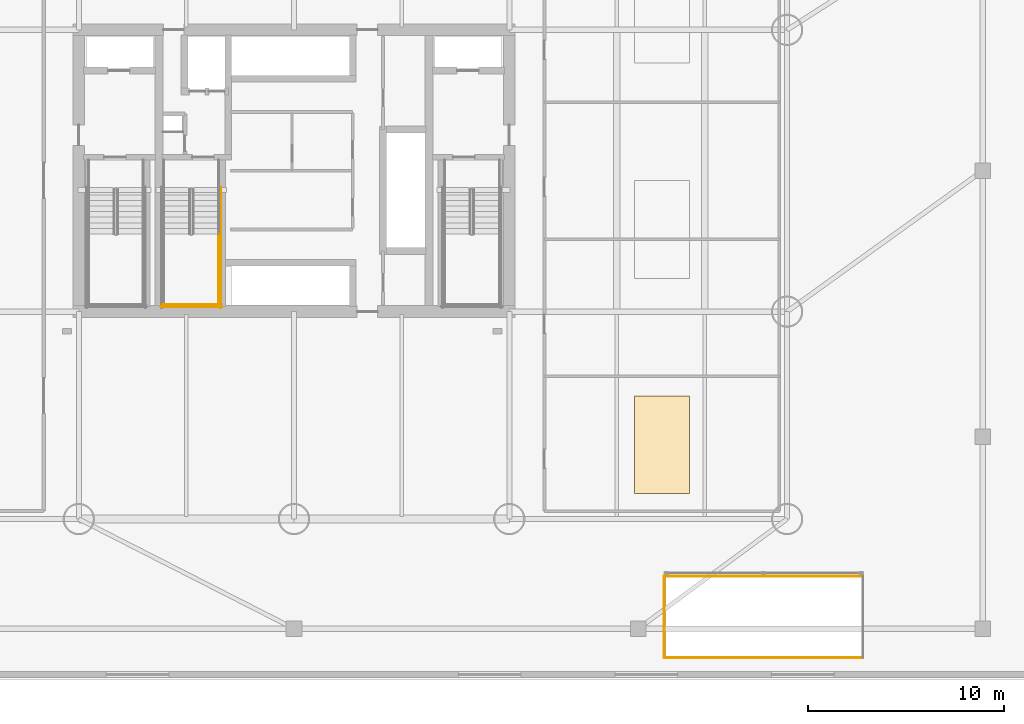
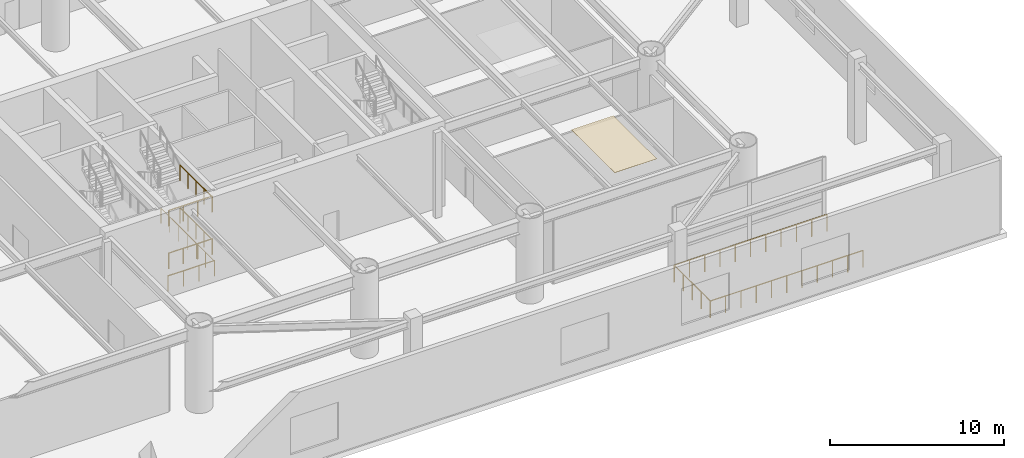
# One storey, part 13 of 17: 9 railings, 1 covering.
"""IFC4 building model written with IfcOpenShell, lengths in metres."""

from ifc_helpers import new_model, si_unit, direction, frame, origin, origin_2d, place, context, subcontext, project, spatial, polyline, circle, outline, extrude, material, layer, layer_set, type_object, element, save


model = new_model("IFC4")

# Units and contexts
model_context = context("Model", 3, precision=1e-05, world=origin(), true_north=direction((0.0, 1.0)))
body_context = subcontext(model_context, "Body", "Model", "MODEL_VIEW")
ifc_project = project(units=[si_unit("LENGTHUNIT", "METRE"), si_unit("AREAUNIT", "SQUARE_METRE"), si_unit("VOLUMEUNIT", "CUBIC_METRE"), si_unit("PLANEANGLEUNIT", "RADIAN"), si_unit("MASSUNIT", "GRAM", prefix="KILO")], contexts=[model_context])

# Site, building, storey
site_placement = place(None, origin())
site = spatial("IfcSite", under=ifc_project, at=site_placement, CompositionType="ELEMENT")
building_placement = place(site_placement, origin())
building = spatial("IfcBuilding", under=site, at=building_placement, Name="Bramvorn Convention Spire", CompositionType="ELEMENT")
storey_placement = place(building_placement, frame((0.0, 0.0, 24.0)))
storey = spatial("IfcBuildingStorey", under=building, at=storey_placement, Name="L04", CompositionType="ELEMENT", Elevation=24.0)

# Covering
ifc_material_1 = material(Name="Micro-Perforated Mineral-Fibre Acoustic Ceiling Tile", Category="gypsum")
ifc_layer = layer(ifc_material_1, 0.02001953125)
ifc_layer_set = layer_set([ifc_layer], Name="Micro-Perforated Mineral-Fibre Acoustic Ceiling Tile - CLG-ACOUSTIC-20")
covering_type = type_object("IfcCoveringType", Name="CLG-ACOUSTIC-20", PredefinedType="CEILING", material=ifc_layer_set)
covering_placement = place(storey_placement, frame((0.0, 0.0, 5.6298828125)))
element("IfcCovering", 1, at=covering_placement, inside=storey, type_object=covering_type, Name="L04 Seminar acoustic tile ceiling 1", PredefinedType="CEILING", context=body_context, shape_type="SweptSolid", body=[
    extrude(outline(polyline([(55.39990234375, 9.5), (58.199951171875, 9.5), (58.199951171875, 14.5), (55.39990234375, 14.5), (55.39990234375, 9.5)])), origin(), (0.0, 0.0, 1.0), 0.02001953125),
])

# Railings
ifc_material_2 = material(Name="Warm Bronze Perforated Metal & Glass Balustrade", Category="glass")
railing_type_1 = type_object("IfcRailingType", Name="RL-POD-BALUSTRADE-1200", PredefinedType="BALUSTRADE", material=ifc_material_2)
railing_1_placement = place(storey_placement, frame((56.919921875, 1.1201171875, 0.0)))
element("IfcRailing", 2, at=railing_1_placement, inside=storey, type_object=railing_type_1, Name="L04 SE void perimeter balustrade side 1", PredefinedType="BALUSTRADE", context=body_context, shape_type="SweptSolid", body=[
    extrude(circle(Radius=0.02392578125, at=origin_2d()), frame((0.0, 0.0, 1.17578125), z_axis=(1.0, 0.0, 0.0), x_axis=(0.0, 1.0, 0.0)), (0.0, 0.0, 1.0), 10.16015625),
    extrude(circle(Radius=0.02099609375, at=origin_2d()), origin(), (0.0, 0.0, 1.0), 1.15185546875),
    extrude(circle(Radius=0.02099609375, at=origin_2d()), frame((1.01611328125, 0.0, 0.0)), (0.0, 0.0, 1.0), 1.15185546875),
    extrude(circle(Radius=0.02099609375, at=origin_2d()), frame((2.031982421875, 0.0, 0.0)), (0.0, 0.0, 1.0), 1.15185546875),
    extrude(circle(Radius=0.02099609375, at=origin_2d()), frame((3.048095703125, 0.0, 0.0)), (0.0, 0.0, 1.0), 1.15185546875),
    extrude(circle(Radius=0.02099609375, at=origin_2d()), frame((4.06396484375, 0.0, 0.0)), (0.0, 0.0, 1.0), 1.15185546875),
    extrude(circle(Radius=0.02099609375, at=origin_2d()), frame((5.080078125, 0.0, 0.0)), (0.0, 0.0, 1.0), 1.15185546875),
    extrude(circle(Radius=0.02099609375, at=origin_2d()), frame((6.09619140625, 0.0, 0.0)), (0.0, 0.0, 1.0), 1.15185546875),
    extrude(circle(Radius=0.02099609375, at=origin_2d()), frame((7.112060546875, 0.0, 0.0)), (0.0, 0.0, 1.0), 1.15185546875),
    extrude(circle(Radius=0.02099609375, at=origin_2d()), frame((8.128173828125, 0.0, 0.0)), (0.0, 0.0, 1.0), 1.15185546875),
    extrude(circle(Radius=0.02099609375, at=origin_2d()), frame((9.14404296875, 0.0, 0.0)), (0.0, 0.0, 1.0), 1.15185546875),
    extrude(circle(Radius=0.02099609375, at=origin_2d()), frame((10.16015625, 0.0, 0.0)), (0.0, 0.0, 1.0), 1.15185546875),
])
railing_2_placement = place(storey_placement, frame((67.080078125, 5.280029296875, 0.0)))
element("IfcRailing", 3, at=railing_2_placement, inside=storey, type_object=railing_type_1, Name="L04 SE void perimeter balustrade side 3", PredefinedType="BALUSTRADE", context=body_context, shape_type="SweptSolid", body=[
    extrude(circle(Radius=0.02392578125, at=origin_2d()), frame((0.0, 0.0, 1.17578125), z_axis=(-1.0, 0.0, 0.0), x_axis=(0.0, -1.0, 0.0)), (0.0, 0.0, 1.0), 10.16015625),
    extrude(circle(Radius=0.02099609375, at=origin_2d()), origin(), (0.0, 0.0, 1.0), 1.15185546875),
    extrude(circle(Radius=0.02099609375, at=origin_2d()), frame((-1.01611328125, 0.0, 0.0)), (0.0, 0.0, 1.0), 1.15185546875),
    extrude(circle(Radius=0.02099609375, at=origin_2d()), frame((-2.031982421875, 0.0, 0.0)), (0.0, 0.0, 1.0), 1.15185546875),
    extrude(circle(Radius=0.02099609375, at=origin_2d()), frame((-3.048095703125, 0.0, 0.0)), (0.0, 0.0, 1.0), 1.15185546875),
    extrude(circle(Radius=0.02099609375, at=origin_2d()), frame((-4.06396484375, 0.0, 0.0)), (0.0, 0.0, 1.0), 1.15185546875),
    extrude(circle(Radius=0.02099609375, at=origin_2d()), frame((-5.080078125, 0.0, 0.0)), (0.0, 0.0, 1.0), 1.15185546875),
    extrude(circle(Radius=0.02099609375, at=origin_2d()), frame((-6.09619140625, 0.0, 0.0)), (0.0, 0.0, 1.0), 1.15185546875),
    extrude(circle(Radius=0.02099609375, at=origin_2d()), frame((-7.112060546875, 0.0, 0.0)), (0.0, 0.0, 1.0), 1.15185546875),
    extrude(circle(Radius=0.02099609375, at=origin_2d()), frame((-8.128173828125, 0.0, 0.0)), (0.0, 0.0, 1.0), 1.15185546875),
    extrude(circle(Radius=0.02099609375, at=origin_2d()), frame((-9.14404296875, 0.0, 0.0)), (0.0, 0.0, 1.0), 1.15185546875),
    extrude(circle(Radius=0.02099609375, at=origin_2d()), frame((-10.16015625, 0.0, 0.0)), (0.0, 0.0, 1.0), 1.15185546875),
])
railing_3_placement = place(storey_placement, frame((56.919921875, 5.280029296875, 0.0)))
element("IfcRailing", 4, at=railing_3_placement, inside=storey, type_object=railing_type_1, Name="L04 SE void perimeter balustrade side 4", PredefinedType="BALUSTRADE", context=body_context, shape_type="SweptSolid", body=[
    extrude(circle(Radius=0.02392578125, at=origin_2d()), frame((0.0, 0.0, 1.17578125), z_axis=(0.0, -1.0, 0.0), x_axis=(1.0, 0.0, 0.0)), (0.0, 0.0, 1.0), 4.159912109375),
    extrude(circle(Radius=0.02099609375, at=origin_2d()), origin(), (0.0, 0.0, 1.0), 1.15185546875),
    extrude(circle(Radius=0.02099609375, at=origin_2d()), frame((0.0, -1.0400390625, 0.0)), (0.0, 0.0, 1.0), 1.15185546875),
    extrude(circle(Radius=0.02099609375, at=origin_2d()), frame((0.0, -2.080078125, 0.0)), (0.0, 0.0, 1.0), 1.15185546875),
    extrude(circle(Radius=0.02099609375, at=origin_2d()), frame((0.0, -3.119873046875, 0.0)), (0.0, 0.0, 1.0), 1.15185546875),
    extrude(circle(Radius=0.02099609375, at=origin_2d()), frame((0.0, -4.159912109375, 0.0)), (0.0, 0.0, 1.0), 1.15185546875),
])
ifc_material_3 = material(Name="Painted Steel Balustrade & Guardrail", Category="steel")
railing_type_2 = type_object("IfcRailingType", Name="RL-STAIR-GUARD-1100", PredefinedType="GUARDRAIL", material=ifc_material_3)
railing_4_placement = place(storey_placement, frame((34.14990234375, 22.77001953125, 1.5)))
element("IfcRailing", 5, at=railing_4_placement, inside=storey, type_object=railing_type_2, Name="L04 ST3 stair guard 4", PredefinedType="GUARDRAIL", context=body_context, shape_type="SweptSolid", body=[
    extrude(circle(Radius=0.02392578125, at=origin_2d()), frame((0.0, 0.0, 1.076171875), z_axis=(0.0, -1.0, 0.0), x_axis=(1.0, 0.0, 0.0)), (0.0, 0.0, 1.0), 3.669921875),
    extrude(circle(Radius=0.02099609375, at=origin_2d()), origin(), (0.0, 0.0, 1.0), 1.052001953125),
    extrude(circle(Radius=0.02099609375, at=origin_2d()), frame((0.0, -0.91748046875, 0.0)), (0.0, 0.0, 1.0), 1.052001953125),
    extrude(circle(Radius=0.02099609375, at=origin_2d()), frame((0.0, -1.8349609375, 0.0)), (0.0, 0.0, 1.0), 1.052001953125),
    extrude(circle(Radius=0.02099609375, at=origin_2d()), frame((0.0, -2.75244140625, 0.0)), (0.0, 0.0, 1.0), 1.052001953125),
    extrude(circle(Radius=0.02099609375, at=origin_2d()), frame((0.0, -3.669921875, 0.0)), (0.0, 0.0, 1.0), 1.052001953125),
])
railing_5_placement = place(storey_placement, frame((31.300048828125, 19.14990234375, 1.5)))
element("IfcRailing", 6, at=railing_5_placement, inside=storey, type_object=railing_type_2, Name="L04 ST3 stair guard 5", PredefinedType="GUARDRAIL", context=body_context, shape_type="SweptSolid", body=[
    extrude(circle(Radius=0.02392578125, at=origin_2d()), frame((0.0, 0.0, 1.076171875), z_axis=(1.0, 0.0, 0.0), x_axis=(0.0, 1.0, 0.0)), (0.0, 0.0, 1.0), 2.89990234375),
    extrude(circle(Radius=0.02099609375, at=origin_2d()), origin(), (0.0, 0.0, 1.0), 1.052001953125),
    extrude(circle(Radius=0.02099609375, at=origin_2d()), frame((0.966552734375, 0.0, 0.0)), (0.0, 0.0, 1.0), 1.052001953125),
    extrude(circle(Radius=0.02099609375, at=origin_2d()), frame((1.933349609375, 0.0, 0.0)), (0.0, 0.0, 1.0), 1.052001953125),
    extrude(circle(Radius=0.02099609375, at=origin_2d()), frame((2.89990234375, 0.0, 0.0)), (0.0, 0.0, 1.0), 1.052001953125),
])
railing_6_placement = place(storey_placement, frame((34.14990234375, 22.77001953125, 4.5)))
element("IfcRailing", 7, at=railing_6_placement, inside=storey, type_object=railing_type_2, Name="L04 ST3 stair guard 13", PredefinedType="GUARDRAIL", context=body_context, shape_type="SweptSolid", body=[
    extrude(circle(Radius=0.02392578125, at=origin_2d()), frame((0.0, 0.0, 1.076171875), z_axis=(0.0, -1.0, 0.0), x_axis=(1.0, 0.0, 0.0)), (0.0, 0.0, 1.0), 3.669921875),
    extrude(circle(Radius=0.02099609375, at=origin_2d()), origin(), (0.0, 0.0, 1.0), 1.052001953125),
    extrude(circle(Radius=0.02099609375, at=origin_2d()), frame((0.0, -0.91748046875, 0.0)), (0.0, 0.0, 1.0), 1.052001953125),
    extrude(circle(Radius=0.02099609375, at=origin_2d()), frame((0.0, -1.8349609375, 0.0)), (0.0, 0.0, 1.0), 1.052001953125),
    extrude(circle(Radius=0.02099609375, at=origin_2d()), frame((0.0, -2.75244140625, 0.0)), (0.0, 0.0, 1.0), 1.052001953125),
    extrude(circle(Radius=0.02099609375, at=origin_2d()), frame((0.0, -3.669921875, 0.0)), (0.0, 0.0, 1.0), 1.052001953125),
])
railing_7_placement = place(storey_placement, frame((31.300048828125, 19.14990234375, 4.5)))
element("IfcRailing", 8, at=railing_7_placement, inside=storey, type_object=railing_type_2, Name="L04 ST3 stair guard 14", PredefinedType="GUARDRAIL", context=body_context, shape_type="SweptSolid", body=[
    extrude(circle(Radius=0.02392578125, at=origin_2d()), frame((0.0, 0.0, 1.076171875), z_axis=(1.0, 0.0, 0.0), x_axis=(0.0, 1.0, 0.0)), (0.0, 0.0, 1.0), 2.89990234375),
    extrude(circle(Radius=0.02099609375, at=origin_2d()), origin(), (0.0, 0.0, 1.0), 1.052001953125),
    extrude(circle(Radius=0.02099609375, at=origin_2d()), frame((0.966552734375, 0.0, 0.0)), (0.0, 0.0, 1.0), 1.052001953125),
    extrude(circle(Radius=0.02099609375, at=origin_2d()), frame((1.933349609375, 0.0, 0.0)), (0.0, 0.0, 1.0), 1.052001953125),
    extrude(circle(Radius=0.02099609375, at=origin_2d()), frame((2.89990234375, 0.0, 0.0)), (0.0, 0.0, 1.0), 1.052001953125),
])
railing_8_placement = place(storey_placement, frame((34.25, 25.14990234375, 0.0)))
element("IfcRailing", 9, at=railing_8_placement, inside=storey, type_object=railing_type_2, Name="L04 ST3 stair guard 20", PredefinedType="GUARDRAIL", context=body_context, shape_type="SweptSolid", body=[
    extrude(circle(Radius=0.02392578125, at=origin_2d()), frame((0.0, 0.0, 1.076171875), z_axis=(0.0, -1.0, 0.0), x_axis=(1.0, 0.0, 0.0)), (0.0, 0.0, 1.0), 6.14990234375),
    extrude(circle(Radius=0.02099609375, at=origin_2d()), origin(), (0.0, 0.0, 1.0), 1.052001953125),
    extrude(circle(Radius=0.02099609375, at=origin_2d()), frame((0.0, -1.02490234375, 0.0)), (0.0, 0.0, 1.0), 1.052001953125),
    extrude(circle(Radius=0.02099609375, at=origin_2d()), frame((0.0, -2.050048828125, 0.0)), (0.0, 0.0, 1.0), 1.052001953125),
    extrude(circle(Radius=0.02099609375, at=origin_2d()), frame((0.0, -3.074951171875, 0.0)), (0.0, 0.0, 1.0), 1.052001953125),
    extrude(circle(Radius=0.02099609375, at=origin_2d()), frame((0.0, -4.099853515625, 0.0)), (0.0, 0.0, 1.0), 1.052001953125),
    extrude(circle(Radius=0.02099609375, at=origin_2d()), frame((0.0, -5.125, 0.0)), (0.0, 0.0, 1.0), 1.052001953125),
    extrude(circle(Radius=0.02099609375, at=origin_2d()), frame((0.0, -6.14990234375, 0.0)), (0.0, 0.0, 1.0), 1.052001953125),
])
railing_9_placement = place(storey_placement, frame((31.199951171875, 19.050048828125, 0.0)))
element("IfcRailing", 10, at=railing_9_placement, inside=storey, type_object=railing_type_2, Name="L04 ST3 stair guard 21", PredefinedType="GUARDRAIL", context=body_context, shape_type="SweptSolid", body=[
    extrude(circle(Radius=0.02392578125, at=origin_2d()), frame((0.0, 0.0, 1.076171875), z_axis=(1.0, 0.0, 0.0), x_axis=(0.0, 1.0, 0.0)), (0.0, 0.0, 1.0), 3.10009765625),
    extrude(circle(Radius=0.02099609375, at=origin_2d()), origin(), (0.0, 0.0, 1.0), 1.052001953125),
    extrude(circle(Radius=0.02099609375, at=origin_2d()), frame((1.033447265625, 0.0, 0.0)), (0.0, 0.0, 1.0), 1.052001953125),
    extrude(circle(Radius=0.02099609375, at=origin_2d()), frame((2.066650390625, 0.0, 0.0)), (0.0, 0.0, 1.0), 1.052001953125),
    extrude(circle(Radius=0.02099609375, at=origin_2d()), frame((3.10009765625, 0.0, 0.0)), (0.0, 0.0, 1.0), 1.052001953125),
])

save(model, "model.ifc")
